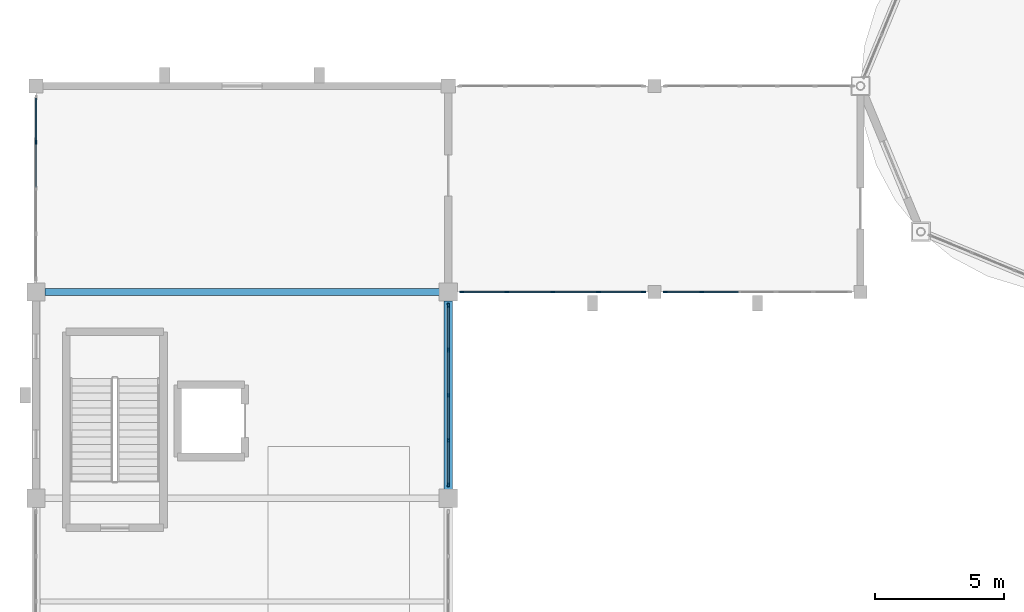
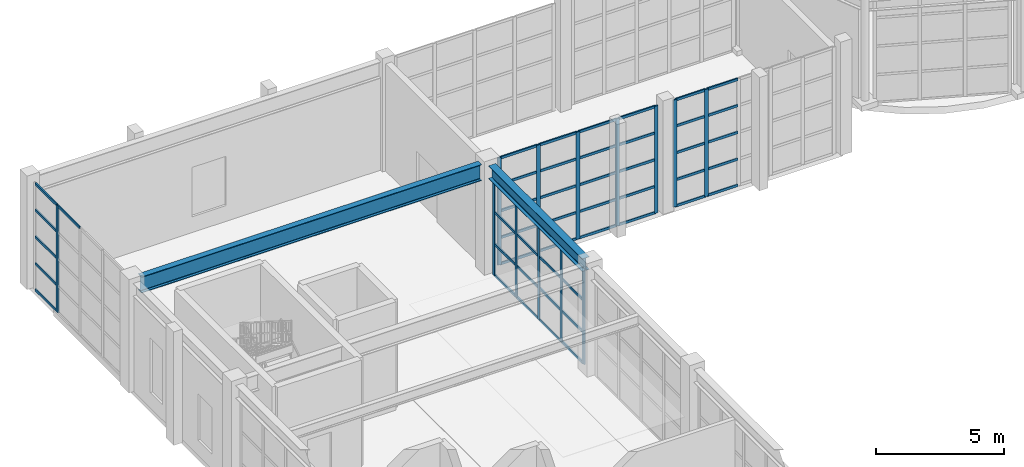
# One storey, part 16 of 82: 65 members, 2 beams, 4 elements without a shape of their own.
"""IFC4 building model written with IfcOpenShell, lengths in metres."""

from ifc_helpers import new_model, si_unit, direction, frame, origin, origin_2d, place, context, subcontext, project, spatial, rectangle, i_section, extrude, material, material_profile, profile_set, type_object, element, aggregate, save


model = new_model("IFC4")

# Units and contexts
model_context = context("Model", 3, precision=1e-05, world=origin(), true_north=direction((0.0, 1.0)))
body_context = subcontext(model_context, "Body", "Model", "MODEL_VIEW")
ifc_project = project(units=[si_unit("LENGTHUNIT", "METRE"), si_unit("AREAUNIT", "SQUARE_METRE"), si_unit("VOLUMEUNIT", "CUBIC_METRE"), si_unit("PLANEANGLEUNIT", "RADIAN"), si_unit("MASSUNIT", "GRAM", prefix="KILO")], contexts=[model_context])

# Site, building, storey
site_placement = place(None, origin())
site = spatial("IfcSite", under=ifc_project, at=site_placement, CompositionType="ELEMENT")
building_placement = place(site_placement, origin())
building = spatial("IfcBuilding", under=site, at=building_placement, Name="Serraluz Foothill Cableway Terminal", CompositionType="ELEMENT")
storey_placement = place(building_placement, frame((0.0, 0.0, 9.60009765625)))
storey = spatial("IfcBuildingStorey", under=building, at=storey_placement, Name="L02", CompositionType="ELEMENT", Elevation=9.60009765625)

# Beams
ifc_material_1 = material(Name="Steel ASTM A992 Grade 50", Category="steel")
ifc_material_profile_1 = material_profile(ifc_material_1, i_section(OverallWidth=0.324951171875, OverallDepth=0.615966796875, WebThickness=0.013916015625, FlangeThickness=0.021484375, FilletRadius=0.01806640625, at=origin_2d()), Name="W24X117")
ifc_profile_set_1 = profile_set([ifc_material_profile_1], Name="Steel ASTM A992 Grade 50")
beam_type_1 = type_object("IfcBeamType", Name="TYP-BM-W24X117", PredefinedType="BEAM", material=ifc_profile_set_1)
beam_1_placement = place(storey_placement, frame((16.0, 48.345947265625, 4.841796875), z_axis=(0.0, 1.0, 0.0), x_axis=(-1.0, 0.0, 0.0)))
element("IfcBeam", 1, at=beam_1_placement, inside=storey, type_object=beam_type_1, Name="Transverse Girder BM-Y-L02-0329", PredefinedType="BEAM", context=body_context, shape_type="SweptSolid", body=[
    extrude(i_section(OverallWidth=0.324951171875, OverallDepth=0.615966796875, WebThickness=0.013916015625, FlangeThickness=0.021484375, FilletRadius=0.01806640625, at=origin_2d()), origin(), (0.0, 0.0, 1.0), 7.30810546875),
])
ifc_material_profile_2 = material_profile(ifc_material_1, i_section(OverallWidth=0.26806640625, OverallDepth=0.77001953125, WebThickness=0.015625, FlangeThickness=0.025390625, FilletRadius=0.02197265625, at=origin_2d()), Name="W30X132")
ifc_profile_set_2 = profile_set([ifc_material_profile_2], Name="Steel ASTM A992 Grade 50")
beam_type_2 = type_object("IfcBeamType", Name="TYP-BM-W30X132", PredefinedType="BEAM", material=ifc_profile_set_2)
beam_2_placement = place(storey_placement, frame((0.345947265625, 56.0, 4.764892578125), z_axis=(1.0, 0.0, 0.0), x_axis=(0.0, 1.0, 0.0)))
element("IfcBeam", 2, at=beam_2_placement, inside=storey, type_object=beam_type_2, Name="Primary Girder BM-X-L02-0307", PredefinedType="BEAM", context=body_context, shape_type="SweptSolid", body=[
    extrude(i_section(OverallWidth=0.26806640625, OverallDepth=0.77001953125, WebThickness=0.015625, FlangeThickness=0.025390625, FilletRadius=0.02197265625, at=origin_2d()), origin(), (0.0, 0.0, 1.0), 15.30810546875),
])

# Curtain wall, members
ifc_material_2 = material(Name="Architectural bronze alloy C28000", Category="aluminium")
curtain_wall_type_1 = type_object("IfcCurtainWallType", Name="TYP-CW-480X420", PredefinedType="NOTDEFINED", material=ifc_material_2)
curtain_wall_1_placement = place(storey_placement, origin())
curtain_wall_1 = element("IfcCurtainWall", 3, at=curtain_wall_1_placement, inside=storey, type_object=curtain_wall_type_1, Name="Ribbed Glazed Curtain Wall CW-V5E-L02-48", PredefinedType="NOTDEFINED")
ifc_material_profile_3 = material_profile(ifc_material_2, rectangle(XDim=0.06005859375, YDim=0.159912109375, at=origin_2d()), Name="ALU MULLION 60x160")
ifc_profile_set_3 = profile_set([ifc_material_profile_3], Name="Architectural bronze alloy C28000")
member_type_1 = type_object("IfcMemberType", Name="TYP-CW-MUL-60X160", PredefinedType="MULLION", material=ifc_profile_set_3)
member_1_placement = place(storey_placement, frame((16.0, 55.47998046875, 0.0), z_axis=(0.0, 0.0, 1.0), x_axis=(1.0, 0.0, 0.0)))
member_1 = element("IfcMember", 4, at=member_1_placement, type_object=member_type_1, Name="CW-15 mullion 1", PredefinedType="MULLION", context=body_context, shape_type="SweptSolid", body=[
    extrude(rectangle(XDim=0.06005859375, YDim=0.159912109375, at=origin_2d()), origin(), (0.0, 0.0, 1.0), 4.533935546875),
])
member_2_placement = place(storey_placement, frame((16.0, 53.7548828125, 0.0), z_axis=(0.0, 0.0, 1.0), x_axis=(1.0, 0.0, 0.0)))
member_2 = element("IfcMember", 5, at=member_2_placement, type_object=member_type_1, Name="CW-15 mullion 2", PredefinedType="MULLION", context=body_context, shape_type="SweptSolid", body=[
    extrude(rectangle(XDim=0.06005859375, YDim=0.159912109375, at=origin_2d()), origin(), (0.0, 0.0, 1.0), 4.533935546875),
])
member_3_placement = place(storey_placement, frame((16.0, 52.0, 0.0), z_axis=(0.0, 0.0, 1.0), x_axis=(1.0, 0.0, 0.0)))
member_3 = element("IfcMember", 6, at=member_3_placement, type_object=member_type_1, Name="CW-15 mullion 3", PredefinedType="MULLION", context=body_context, shape_type="SweptSolid", body=[
    extrude(rectangle(XDim=0.06005859375, YDim=0.159912109375, at=origin_2d()), origin(), (0.0, 0.0, 1.0), 4.533935546875),
])
member_4_placement = place(storey_placement, frame((16.0, 50.2451171875, 0.0), z_axis=(0.0, 0.0, 1.0), x_axis=(1.0, 0.0, 0.0)))
member_4 = element("IfcMember", 7, at=member_4_placement, type_object=member_type_1, Name="CW-15 mullion 4", PredefinedType="MULLION", context=body_context, shape_type="SweptSolid", body=[
    extrude(rectangle(XDim=0.06005859375, YDim=0.159912109375, at=origin_2d()), origin(), (0.0, 0.0, 1.0), 4.533935546875),
])
member_5_placement = place(storey_placement, frame((16.0, 48.52001953125, 0.0), z_axis=(0.0, 0.0, 1.0), x_axis=(1.0, 0.0, 0.0)))
member_5 = element("IfcMember", 8, at=member_5_placement, type_object=member_type_1, Name="CW-15 mullion 5", PredefinedType="MULLION", context=body_context, shape_type="SweptSolid", body=[
    extrude(rectangle(XDim=0.06005859375, YDim=0.159912109375, at=origin_2d()), origin(), (0.0, 0.0, 1.0), 4.533935546875),
])

# Curtain wall, member
curtain_wall_type_2 = type_object("IfcCurtainWallType", Name="TYP-CW-540X420", PredefinedType="NOTDEFINED", material=ifc_material_2)
curtain_wall_2_placement = place(storey_placement, origin())
curtain_wall_2 = element("IfcCurtainWall", 9, at=curtain_wall_2_placement, inside=storey, type_object=curtain_wall_type_2, Name="Ribbed Glazed Curtain Wall CW-V5W-L02-56", PredefinedType="NOTDEFINED")
member_6_placement = place(storey_placement, frame((0.0, 61.811279296875, 0.0), z_axis=(0.0, 0.0, 1.0), x_axis=(-1.0, 0.0, 0.0)))
member_6 = element("IfcMember", 10, at=member_6_placement, type_object=member_type_1, Name="CW-10 mullion 4", PredefinedType="MULLION", context=body_context, shape_type="SweptSolid", body=[
    extrude(rectangle(XDim=0.06005859375, YDim=0.159912109375, at=origin_2d()), origin(), (0.0, 0.0, 1.0), 5.099853515625),
])

# Curtain wall, members
curtain_wall_type_3 = type_object("IfcCurtainWallType", Name="TYP-CW-710X420", PredefinedType="NOTDEFINED", material=ifc_material_2)
curtain_wall_3_placement = place(storey_placement, origin())
curtain_wall_3 = element("IfcCurtainWall", 11, at=curtain_wall_3_placement, inside=storey, type_object=curtain_wall_type_3, Name="Ribbed Glazed Curtain Wall CW-WLS-L02-16", PredefinedType="NOTDEFINED")
member_7_placement = place(storey_placement, frame((23.580078125, 56.0, 0.0), z_axis=(0.0, 0.0, 1.0), x_axis=(0.0, -1.0, 0.0)))
member_7 = element("IfcMember", 12, at=member_7_placement, type_object=member_type_1, Name="CW-01 mullion 1", PredefinedType="MULLION", context=body_context, shape_type="SweptSolid", body=[
    extrude(rectangle(XDim=0.06005859375, YDim=0.159912109375, at=origin_2d()), origin(), (0.0, 0.0, 1.0), 5.099853515625),
])
member_8_placement = place(storey_placement, frame((21.830078125, 56.0, 0.0), z_axis=(0.0, 0.0, 1.0), x_axis=(0.0, -1.0, 0.0)))
member_8 = element("IfcMember", 13, at=member_8_placement, type_object=member_type_1, Name="CW-01 mullion 2", PredefinedType="MULLION", context=body_context, shape_type="SweptSolid", body=[
    extrude(rectangle(XDim=0.06005859375, YDim=0.159912109375, at=origin_2d()), origin(), (0.0, 0.0, 1.0), 5.099853515625),
])
member_9_placement = place(storey_placement, frame((20.050048828125, 56.0, 0.0), z_axis=(0.0, 0.0, 1.0), x_axis=(0.0, -1.0, 0.0)))
member_9 = element("IfcMember", 14, at=member_9_placement, type_object=member_type_1, Name="CW-01 mullion 3", PredefinedType="MULLION", context=body_context, shape_type="SweptSolid", body=[
    extrude(rectangle(XDim=0.06005859375, YDim=0.159912109375, at=origin_2d()), origin(), (0.0, 0.0, 1.0), 5.099853515625),
])
member_10_placement = place(storey_placement, frame((18.27001953125, 56.0, 0.0), z_axis=(0.0, 0.0, 1.0), x_axis=(0.0, -1.0, 0.0)))
member_10 = element("IfcMember", 15, at=member_10_placement, type_object=member_type_1, Name="CW-01 mullion 4", PredefinedType="MULLION", context=body_context, shape_type="SweptSolid", body=[
    extrude(rectangle(XDim=0.06005859375, YDim=0.159912109375, at=origin_2d()), origin(), (0.0, 0.0, 1.0), 5.099853515625),
])
member_11_placement = place(storey_placement, frame((16.52001953125, 56.0, 0.0), z_axis=(0.0, 0.0, 1.0), x_axis=(0.0, -1.0, 0.0)))
member_11 = element("IfcMember", 16, at=member_11_placement, type_object=member_type_1, Name="CW-01 mullion 5", PredefinedType="MULLION", context=body_context, shape_type="SweptSolid", body=[
    extrude(rectangle(XDim=0.06005859375, YDim=0.159912109375, at=origin_2d()), origin(), (0.0, 0.0, 1.0), 5.099853515625),
])

curtain_wall_4_placement = place(storey_placement, origin())
curtain_wall_4 = element("IfcCurtainWall", 17, at=curtain_wall_4_placement, inside=storey, type_object=curtain_wall_type_3, Name="Ribbed Glazed Curtain Wall CW-WLS-L02-24", PredefinedType="NOTDEFINED")
member_12_placement = place(storey_placement, frame((25.833984375, 56.0, 0.0), z_axis=(0.0, 0.0, 1.0), x_axis=(0.0, -1.0, 0.0)))
member_12 = element("IfcMember", 18, at=member_12_placement, type_object=member_type_1, Name="CW-01 mullion 5", PredefinedType="MULLION", context=body_context, shape_type="SweptSolid", body=[
    extrude(rectangle(XDim=0.06005859375, YDim=0.159912109375, at=origin_2d()), origin(), (0.0, 0.0, 1.0), 5.099853515625),
])
member_13_placement = place(storey_placement, frame((24.419921875, 56.0, 0.0), z_axis=(0.0, 0.0, 1.0), x_axis=(0.0, -1.0, 0.0)))
member_13 = element("IfcMember", 19, at=member_13_placement, type_object=member_type_1, Name="CW-01 mullion 6", PredefinedType="MULLION", context=body_context, shape_type="SweptSolid", body=[
    extrude(rectangle(XDim=0.06005859375, YDim=0.159912109375, at=origin_2d()), origin(), (0.0, 0.0, 1.0), 5.099853515625),
])

# Member
ifc_material_profile_4 = material_profile(ifc_material_2, rectangle(XDim=0.06005859375, YDim=0.1201171875, at=origin_2d()), Name="ALU TRANSOM 60x120")
ifc_profile_set_4 = profile_set([ifc_material_profile_4], Name="Architectural bronze alloy C28000")
member_type_2 = type_object("IfcMemberType", Name="TYP-CW-TRN-60X120", PredefinedType="USERDEFINED", material=ifc_profile_set_4)
member_14_placement = place(storey_placement, frame((16.0, 55.449951171875, 0.02978515625), z_axis=(0.0, -1.0, 0.0), x_axis=(1.0, 0.0, 0.0)))
member_14 = element("IfcMember", 20, at=member_14_placement, type_object=member_type_2, Name="CW-15 transom 1.1", ObjectType="TRANSOM", PredefinedType="USERDEFINED", context=body_context, shape_type="SweptSolid", body=[
    extrude(rectangle(XDim=0.06005859375, YDim=0.1201171875, at=origin_2d()), origin(), (0.0, 0.0, 1.0), 1.6650390625),
])

member_15_placement = place(storey_placement, frame((16.0, 55.449951171875, 1.51123046875), z_axis=(0.0, -1.0, 0.0), x_axis=(1.0, 0.0, 0.0)))
member_15 = element("IfcMember", 21, at=member_15_placement, type_object=member_type_2, Name="CW-15 transom 1.2", ObjectType="TRANSOM", PredefinedType="USERDEFINED", context=body_context, shape_type="SweptSolid", body=[
    extrude(rectangle(XDim=0.06005859375, YDim=0.1201171875, at=origin_2d()), origin(), (0.0, 0.0, 1.0), 1.6650390625),
])

member_16_placement = place(storey_placement, frame((16.0, 55.449951171875, 3.022705078125), z_axis=(0.0, -1.0, 0.0), x_axis=(1.0, 0.0, 0.0)))
member_16 = element("IfcMember", 22, at=member_16_placement, type_object=member_type_2, Name="CW-15 transom 1.3", ObjectType="TRANSOM", PredefinedType="USERDEFINED", context=body_context, shape_type="SweptSolid", body=[
    extrude(rectangle(XDim=0.06005859375, YDim=0.1201171875, at=origin_2d()), origin(), (0.0, 0.0, 1.0), 1.6650390625),
])

member_17_placement = place(storey_placement, frame((16.0, 55.449951171875, 4.50390625), z_axis=(0.0, -1.0, 0.0), x_axis=(1.0, 0.0, 0.0)))
member_17 = element("IfcMember", 23, at=member_17_placement, type_object=member_type_2, Name="CW-15 transom 1.4", ObjectType="TRANSOM", PredefinedType="USERDEFINED", context=body_context, shape_type="SweptSolid", body=[
    extrude(rectangle(XDim=0.06005859375, YDim=0.1201171875, at=origin_2d()), origin(), (0.0, 0.0, 1.0), 1.6650390625),
])

member_18_placement = place(storey_placement, frame((16.0, 53.72509765625, 0.02978515625), z_axis=(0.0, -1.0, 0.0), x_axis=(1.0, 0.0, 0.0)))
member_18 = element("IfcMember", 24, at=member_18_placement, type_object=member_type_2, Name="CW-15 transom 2.1", ObjectType="TRANSOM", PredefinedType="USERDEFINED", context=body_context, shape_type="SweptSolid", body=[
    extrude(rectangle(XDim=0.06005859375, YDim=0.1201171875, at=origin_2d()), origin(), (0.0, 0.0, 1.0), 1.695068359375),
])

member_19_placement = place(storey_placement, frame((16.0, 53.72509765625, 1.51123046875), z_axis=(0.0, -1.0, 0.0), x_axis=(1.0, 0.0, 0.0)))
member_19 = element("IfcMember", 25, at=member_19_placement, type_object=member_type_2, Name="CW-15 transom 2.2", ObjectType="TRANSOM", PredefinedType="USERDEFINED", context=body_context, shape_type="SweptSolid", body=[
    extrude(rectangle(XDim=0.06005859375, YDim=0.1201171875, at=origin_2d()), origin(), (0.0, 0.0, 1.0), 1.695068359375),
])

member_20_placement = place(storey_placement, frame((16.0, 53.72509765625, 3.022705078125), z_axis=(0.0, -1.0, 0.0), x_axis=(1.0, 0.0, 0.0)))
member_20 = element("IfcMember", 26, at=member_20_placement, type_object=member_type_2, Name="CW-15 transom 2.3", ObjectType="TRANSOM", PredefinedType="USERDEFINED", context=body_context, shape_type="SweptSolid", body=[
    extrude(rectangle(XDim=0.06005859375, YDim=0.1201171875, at=origin_2d()), origin(), (0.0, 0.0, 1.0), 1.695068359375),
])

member_21_placement = place(storey_placement, frame((16.0, 53.72509765625, 4.50390625), z_axis=(0.0, -1.0, 0.0), x_axis=(1.0, 0.0, 0.0)))
member_21 = element("IfcMember", 27, at=member_21_placement, type_object=member_type_2, Name="CW-15 transom 2.4", ObjectType="TRANSOM", PredefinedType="USERDEFINED", context=body_context, shape_type="SweptSolid", body=[
    extrude(rectangle(XDim=0.06005859375, YDim=0.1201171875, at=origin_2d()), origin(), (0.0, 0.0, 1.0), 1.695068359375),
])

member_22_placement = place(storey_placement, frame((16.0, 51.969970703125, 0.02978515625), z_axis=(0.0, -1.0, 0.0), x_axis=(1.0, 0.0, 0.0)))
member_22 = element("IfcMember", 28, at=member_22_placement, type_object=member_type_2, Name="CW-15 transom 3.1", ObjectType="TRANSOM", PredefinedType="USERDEFINED", context=body_context, shape_type="SweptSolid", body=[
    extrude(rectangle(XDim=0.06005859375, YDim=0.1201171875, at=origin_2d()), origin(), (0.0, 0.0, 1.0), 1.695068359375),
])

member_23_placement = place(storey_placement, frame((16.0, 51.969970703125, 1.51123046875), z_axis=(0.0, -1.0, 0.0), x_axis=(1.0, 0.0, 0.0)))
member_23 = element("IfcMember", 29, at=member_23_placement, type_object=member_type_2, Name="CW-15 transom 3.2", ObjectType="TRANSOM", PredefinedType="USERDEFINED", context=body_context, shape_type="SweptSolid", body=[
    extrude(rectangle(XDim=0.06005859375, YDim=0.1201171875, at=origin_2d()), origin(), (0.0, 0.0, 1.0), 1.695068359375),
])

member_24_placement = place(storey_placement, frame((16.0, 51.969970703125, 3.022705078125), z_axis=(0.0, -1.0, 0.0), x_axis=(1.0, 0.0, 0.0)))
member_24 = element("IfcMember", 30, at=member_24_placement, type_object=member_type_2, Name="CW-15 transom 3.3", ObjectType="TRANSOM", PredefinedType="USERDEFINED", context=body_context, shape_type="SweptSolid", body=[
    extrude(rectangle(XDim=0.06005859375, YDim=0.1201171875, at=origin_2d()), origin(), (0.0, 0.0, 1.0), 1.695068359375),
])

member_25_placement = place(storey_placement, frame((16.0, 51.969970703125, 4.50390625), z_axis=(0.0, -1.0, 0.0), x_axis=(1.0, 0.0, 0.0)))
member_25 = element("IfcMember", 31, at=member_25_placement, type_object=member_type_2, Name="CW-15 transom 3.4", ObjectType="TRANSOM", PredefinedType="USERDEFINED", context=body_context, shape_type="SweptSolid", body=[
    extrude(rectangle(XDim=0.06005859375, YDim=0.1201171875, at=origin_2d()), origin(), (0.0, 0.0, 1.0), 1.695068359375),
])

member_26_placement = place(storey_placement, frame((16.0, 50.215087890625, 0.02978515625), z_axis=(0.0, -1.0, 0.0), x_axis=(1.0, 0.0, 0.0)))
member_26 = element("IfcMember", 32, at=member_26_placement, type_object=member_type_2, Name="CW-15 transom 4.1", ObjectType="TRANSOM", PredefinedType="USERDEFINED", context=body_context, shape_type="SweptSolid", body=[
    extrude(rectangle(XDim=0.06005859375, YDim=0.1201171875, at=origin_2d()), origin(), (0.0, 0.0, 1.0), 1.6650390625),
])

member_27_placement = place(storey_placement, frame((16.0, 50.215087890625, 1.51123046875), z_axis=(0.0, -1.0, 0.0), x_axis=(1.0, 0.0, 0.0)))
member_27 = element("IfcMember", 33, at=member_27_placement, type_object=member_type_2, Name="CW-15 transom 4.2", ObjectType="TRANSOM", PredefinedType="USERDEFINED", context=body_context, shape_type="SweptSolid", body=[
    extrude(rectangle(XDim=0.06005859375, YDim=0.1201171875, at=origin_2d()), origin(), (0.0, 0.0, 1.0), 1.6650390625),
])

member_28_placement = place(storey_placement, frame((16.0, 50.215087890625, 3.022705078125), z_axis=(0.0, -1.0, 0.0), x_axis=(1.0, 0.0, 0.0)))
member_28 = element("IfcMember", 34, at=member_28_placement, type_object=member_type_2, Name="CW-15 transom 4.3", ObjectType="TRANSOM", PredefinedType="USERDEFINED", context=body_context, shape_type="SweptSolid", body=[
    extrude(rectangle(XDim=0.06005859375, YDim=0.1201171875, at=origin_2d()), origin(), (0.0, 0.0, 1.0), 1.6650390625),
])

member_29_placement = place(storey_placement, frame((16.0, 50.215087890625, 4.50390625), z_axis=(0.0, -1.0, 0.0), x_axis=(1.0, 0.0, 0.0)))
member_29 = element("IfcMember", 35, at=member_29_placement, type_object=member_type_2, Name="CW-15 transom 4.4", ObjectType="TRANSOM", PredefinedType="USERDEFINED", context=body_context, shape_type="SweptSolid", body=[
    extrude(rectangle(XDim=0.06005859375, YDim=0.1201171875, at=origin_2d()), origin(), (0.0, 0.0, 1.0), 1.6650390625),
])

aggregate(curtain_wall_1, [member_1, member_2, member_3, member_4, member_5, member_14, member_15, member_16, member_17, member_18, member_19, member_20, member_21, member_22, member_23, member_24, member_25, member_26, member_27, member_28, member_29])

member_30_placement = place(storey_placement, frame((0.0, 60.0673828125, 5.06982421875), z_axis=(0.0, 1.0, 0.0), x_axis=(-1.0, 0.0, 0.0)))
member_30 = element("IfcMember", 36, at=member_30_placement, type_object=member_type_2, Name="CW-10 transom 3.5", ObjectType="TRANSOM", PredefinedType="USERDEFINED", context=body_context, shape_type="SweptSolid", body=[
    extrude(rectangle(XDim=0.06005859375, YDim=0.1201171875, at=origin_2d()), origin(), (0.0, 0.0, 1.0), 1.7138671875),
])

member_31_placement = place(storey_placement, frame((0.0, 61.84130859375, 0.02978515625), z_axis=(0.0, 1.0, 0.0), x_axis=(-1.0, 0.0, 0.0)))
member_31 = element("IfcMember", 37, at=member_31_placement, type_object=member_type_2, Name="CW-10 transom 4.1", ObjectType="TRANSOM", PredefinedType="USERDEFINED", context=body_context, shape_type="SweptSolid", body=[
    extrude(rectangle(XDim=0.06005859375, YDim=0.1201171875, at=origin_2d()), origin(), (0.0, 0.0, 1.0), 1.68359375),
])

member_32_placement = place(storey_placement, frame((0.0, 61.84130859375, 1.27490234375), z_axis=(0.0, 1.0, 0.0), x_axis=(-1.0, 0.0, 0.0)))
member_32 = element("IfcMember", 38, at=member_32_placement, type_object=member_type_2, Name="CW-10 transom 4.2", ObjectType="TRANSOM", PredefinedType="USERDEFINED", context=body_context, shape_type="SweptSolid", body=[
    extrude(rectangle(XDim=0.06005859375, YDim=0.1201171875, at=origin_2d()), origin(), (0.0, 0.0, 1.0), 1.68359375),
])

member_33_placement = place(storey_placement, frame((0.0, 61.84130859375, 2.5498046875), z_axis=(0.0, 1.0, 0.0), x_axis=(-1.0, 0.0, 0.0)))
member_33 = element("IfcMember", 39, at=member_33_placement, type_object=member_type_2, Name="CW-10 transom 4.3", ObjectType="TRANSOM", PredefinedType="USERDEFINED", context=body_context, shape_type="SweptSolid", body=[
    extrude(rectangle(XDim=0.06005859375, YDim=0.1201171875, at=origin_2d()), origin(), (0.0, 0.0, 1.0), 1.68359375),
])

member_34_placement = place(storey_placement, frame((0.0, 61.84130859375, 3.824951171875), z_axis=(0.0, 1.0, 0.0), x_axis=(-1.0, 0.0, 0.0)))
member_34 = element("IfcMember", 40, at=member_34_placement, type_object=member_type_2, Name="CW-10 transom 4.4", ObjectType="TRANSOM", PredefinedType="USERDEFINED", context=body_context, shape_type="SweptSolid", body=[
    extrude(rectangle(XDim=0.06005859375, YDim=0.1201171875, at=origin_2d()), origin(), (0.0, 0.0, 1.0), 1.68359375),
])

member_35_placement = place(storey_placement, frame((0.0, 61.84130859375, 5.06982421875), z_axis=(0.0, 1.0, 0.0), x_axis=(-1.0, 0.0, 0.0)))
member_35 = element("IfcMember", 41, at=member_35_placement, type_object=member_type_2, Name="CW-10 transom 4.5", ObjectType="TRANSOM", PredefinedType="USERDEFINED", context=body_context, shape_type="SweptSolid", body=[
    extrude(rectangle(XDim=0.06005859375, YDim=0.1201171875, at=origin_2d()), origin(), (0.0, 0.0, 1.0), 1.68359375),
])

aggregate(curtain_wall_2, [member_6, member_30, member_31, member_32, member_33, member_34, member_35])

member_36_placement = place(storey_placement, frame((23.550048828125, 56.0, 0.02978515625), z_axis=(-1.0, 0.0, 0.0), x_axis=(0.0, -1.0, 0.0)))
member_36 = element("IfcMember", 42, at=member_36_placement, type_object=member_type_2, Name="CW-01 transom 1.1", ObjectType="TRANSOM", PredefinedType="USERDEFINED", context=body_context, shape_type="SweptSolid", body=[
    extrude(rectangle(XDim=0.06005859375, YDim=0.1201171875, at=origin_2d()), origin(), (0.0, 0.0, 1.0), 1.68994140625),
])

member_37_placement = place(storey_placement, frame((23.550048828125, 56.0, 1.27490234375), z_axis=(-1.0, 0.0, 0.0), x_axis=(0.0, -1.0, 0.0)))
member_37 = element("IfcMember", 43, at=member_37_placement, type_object=member_type_2, Name="CW-01 transom 1.2", ObjectType="TRANSOM", PredefinedType="USERDEFINED", context=body_context, shape_type="SweptSolid", body=[
    extrude(rectangle(XDim=0.06005859375, YDim=0.1201171875, at=origin_2d()), origin(), (0.0, 0.0, 1.0), 1.68994140625),
])

member_38_placement = place(storey_placement, frame((23.550048828125, 56.0, 2.5498046875), z_axis=(-1.0, 0.0, 0.0), x_axis=(0.0, -1.0, 0.0)))
member_38 = element("IfcMember", 44, at=member_38_placement, type_object=member_type_2, Name="CW-01 transom 1.3", ObjectType="TRANSOM", PredefinedType="USERDEFINED", context=body_context, shape_type="SweptSolid", body=[
    extrude(rectangle(XDim=0.06005859375, YDim=0.1201171875, at=origin_2d()), origin(), (0.0, 0.0, 1.0), 1.68994140625),
])

member_39_placement = place(storey_placement, frame((23.550048828125, 56.0, 3.824951171875), z_axis=(-1.0, 0.0, 0.0), x_axis=(0.0, -1.0, 0.0)))
member_39 = element("IfcMember", 45, at=member_39_placement, type_object=member_type_2, Name="CW-01 transom 1.4", ObjectType="TRANSOM", PredefinedType="USERDEFINED", context=body_context, shape_type="SweptSolid", body=[
    extrude(rectangle(XDim=0.06005859375, YDim=0.1201171875, at=origin_2d()), origin(), (0.0, 0.0, 1.0), 1.68994140625),
])

member_40_placement = place(storey_placement, frame((23.550048828125, 56.0, 5.06982421875), z_axis=(-1.0, 0.0, 0.0), x_axis=(0.0, -1.0, 0.0)))
member_40 = element("IfcMember", 46, at=member_40_placement, type_object=member_type_2, Name="CW-01 transom 1.5", ObjectType="TRANSOM", PredefinedType="USERDEFINED", context=body_context, shape_type="SweptSolid", body=[
    extrude(rectangle(XDim=0.06005859375, YDim=0.1201171875, at=origin_2d()), origin(), (0.0, 0.0, 1.0), 1.68994140625),
])

member_41_placement = place(storey_placement, frame((21.800048828125, 56.0, 0.02978515625), z_axis=(-1.0, 0.0, 0.0), x_axis=(0.0, -1.0, 0.0)))
member_41 = element("IfcMember", 47, at=member_41_placement, type_object=member_type_2, Name="CW-01 transom 2.1", ObjectType="TRANSOM", PredefinedType="USERDEFINED", context=body_context, shape_type="SweptSolid", body=[
    extrude(rectangle(XDim=0.06005859375, YDim=0.1201171875, at=origin_2d()), origin(), (0.0, 0.0, 1.0), 1.719970703125),
])

member_42_placement = place(storey_placement, frame((21.800048828125, 56.0, 1.27490234375), z_axis=(-1.0, 0.0, 0.0), x_axis=(0.0, -1.0, 0.0)))
member_42 = element("IfcMember", 48, at=member_42_placement, type_object=member_type_2, Name="CW-01 transom 2.2", ObjectType="TRANSOM", PredefinedType="USERDEFINED", context=body_context, shape_type="SweptSolid", body=[
    extrude(rectangle(XDim=0.06005859375, YDim=0.1201171875, at=origin_2d()), origin(), (0.0, 0.0, 1.0), 1.719970703125),
])

member_43_placement = place(storey_placement, frame((21.800048828125, 56.0, 2.5498046875), z_axis=(-1.0, 0.0, 0.0), x_axis=(0.0, -1.0, 0.0)))
member_43 = element("IfcMember", 49, at=member_43_placement, type_object=member_type_2, Name="CW-01 transom 2.3", ObjectType="TRANSOM", PredefinedType="USERDEFINED", context=body_context, shape_type="SweptSolid", body=[
    extrude(rectangle(XDim=0.06005859375, YDim=0.1201171875, at=origin_2d()), origin(), (0.0, 0.0, 1.0), 1.719970703125),
])

member_44_placement = place(storey_placement, frame((21.800048828125, 56.0, 3.824951171875), z_axis=(-1.0, 0.0, 0.0), x_axis=(0.0, -1.0, 0.0)))
member_44 = element("IfcMember", 50, at=member_44_placement, type_object=member_type_2, Name="CW-01 transom 2.4", ObjectType="TRANSOM", PredefinedType="USERDEFINED", context=body_context, shape_type="SweptSolid", body=[
    extrude(rectangle(XDim=0.06005859375, YDim=0.1201171875, at=origin_2d()), origin(), (0.0, 0.0, 1.0), 1.719970703125),
])

member_45_placement = place(storey_placement, frame((21.800048828125, 56.0, 5.06982421875), z_axis=(-1.0, 0.0, 0.0), x_axis=(0.0, -1.0, 0.0)))
member_45 = element("IfcMember", 51, at=member_45_placement, type_object=member_type_2, Name="CW-01 transom 2.5", ObjectType="TRANSOM", PredefinedType="USERDEFINED", context=body_context, shape_type="SweptSolid", body=[
    extrude(rectangle(XDim=0.06005859375, YDim=0.1201171875, at=origin_2d()), origin(), (0.0, 0.0, 1.0), 1.719970703125),
])

member_46_placement = place(storey_placement, frame((20.02001953125, 56.0, 0.02978515625), z_axis=(-1.0, 0.0, 0.0), x_axis=(0.0, -1.0, 0.0)))
member_46 = element("IfcMember", 52, at=member_46_placement, type_object=member_type_2, Name="CW-01 transom 3.1", ObjectType="TRANSOM", PredefinedType="USERDEFINED", context=body_context, shape_type="SweptSolid", body=[
    extrude(rectangle(XDim=0.06005859375, YDim=0.1201171875, at=origin_2d()), origin(), (0.0, 0.0, 1.0), 1.719970703125),
])

member_47_placement = place(storey_placement, frame((20.02001953125, 56.0, 1.27490234375), z_axis=(-1.0, 0.0, 0.0), x_axis=(0.0, -1.0, 0.0)))
member_47 = element("IfcMember", 53, at=member_47_placement, type_object=member_type_2, Name="CW-01 transom 3.2", ObjectType="TRANSOM", PredefinedType="USERDEFINED", context=body_context, shape_type="SweptSolid", body=[
    extrude(rectangle(XDim=0.06005859375, YDim=0.1201171875, at=origin_2d()), origin(), (0.0, 0.0, 1.0), 1.719970703125),
])

member_48_placement = place(storey_placement, frame((20.02001953125, 56.0, 2.5498046875), z_axis=(-1.0, 0.0, 0.0), x_axis=(0.0, -1.0, 0.0)))
member_48 = element("IfcMember", 54, at=member_48_placement, type_object=member_type_2, Name="CW-01 transom 3.3", ObjectType="TRANSOM", PredefinedType="USERDEFINED", context=body_context, shape_type="SweptSolid", body=[
    extrude(rectangle(XDim=0.06005859375, YDim=0.1201171875, at=origin_2d()), origin(), (0.0, 0.0, 1.0), 1.719970703125),
])

member_49_placement = place(storey_placement, frame((20.02001953125, 56.0, 3.824951171875), z_axis=(-1.0, 0.0, 0.0), x_axis=(0.0, -1.0, 0.0)))
member_49 = element("IfcMember", 55, at=member_49_placement, type_object=member_type_2, Name="CW-01 transom 3.4", ObjectType="TRANSOM", PredefinedType="USERDEFINED", context=body_context, shape_type="SweptSolid", body=[
    extrude(rectangle(XDim=0.06005859375, YDim=0.1201171875, at=origin_2d()), origin(), (0.0, 0.0, 1.0), 1.719970703125),
])

member_50_placement = place(storey_placement, frame((20.02001953125, 56.0, 5.06982421875), z_axis=(-1.0, 0.0, 0.0), x_axis=(0.0, -1.0, 0.0)))
member_50 = element("IfcMember", 56, at=member_50_placement, type_object=member_type_2, Name="CW-01 transom 3.5", ObjectType="TRANSOM", PredefinedType="USERDEFINED", context=body_context, shape_type="SweptSolid", body=[
    extrude(rectangle(XDim=0.06005859375, YDim=0.1201171875, at=origin_2d()), origin(), (0.0, 0.0, 1.0), 1.719970703125),
])

member_51_placement = place(storey_placement, frame((18.239990234375, 56.0, 0.02978515625), z_axis=(-1.0, 0.0, 0.0), x_axis=(0.0, -1.0, 0.0)))
member_51 = element("IfcMember", 57, at=member_51_placement, type_object=member_type_2, Name="CW-01 transom 4.1", ObjectType="TRANSOM", PredefinedType="USERDEFINED", context=body_context, shape_type="SweptSolid", body=[
    extrude(rectangle(XDim=0.06005859375, YDim=0.1201171875, at=origin_2d()), origin(), (0.0, 0.0, 1.0), 1.68994140625),
])

member_52_placement = place(storey_placement, frame((18.239990234375, 56.0, 1.27490234375), z_axis=(-1.0, 0.0, 0.0), x_axis=(0.0, -1.0, 0.0)))
member_52 = element("IfcMember", 58, at=member_52_placement, type_object=member_type_2, Name="CW-01 transom 4.2", ObjectType="TRANSOM", PredefinedType="USERDEFINED", context=body_context, shape_type="SweptSolid", body=[
    extrude(rectangle(XDim=0.06005859375, YDim=0.1201171875, at=origin_2d()), origin(), (0.0, 0.0, 1.0), 1.68994140625),
])

member_53_placement = place(storey_placement, frame((18.239990234375, 56.0, 2.5498046875), z_axis=(-1.0, 0.0, 0.0), x_axis=(0.0, -1.0, 0.0)))
member_53 = element("IfcMember", 59, at=member_53_placement, type_object=member_type_2, Name="CW-01 transom 4.3", ObjectType="TRANSOM", PredefinedType="USERDEFINED", context=body_context, shape_type="SweptSolid", body=[
    extrude(rectangle(XDim=0.06005859375, YDim=0.1201171875, at=origin_2d()), origin(), (0.0, 0.0, 1.0), 1.68994140625),
])

member_54_placement = place(storey_placement, frame((18.239990234375, 56.0, 3.824951171875), z_axis=(-1.0, 0.0, 0.0), x_axis=(0.0, -1.0, 0.0)))
member_54 = element("IfcMember", 60, at=member_54_placement, type_object=member_type_2, Name="CW-01 transom 4.4", ObjectType="TRANSOM", PredefinedType="USERDEFINED", context=body_context, shape_type="SweptSolid", body=[
    extrude(rectangle(XDim=0.06005859375, YDim=0.1201171875, at=origin_2d()), origin(), (0.0, 0.0, 1.0), 1.68994140625),
])

member_55_placement = place(storey_placement, frame((18.239990234375, 56.0, 5.06982421875), z_axis=(-1.0, 0.0, 0.0), x_axis=(0.0, -1.0, 0.0)))
member_55 = element("IfcMember", 61, at=member_55_placement, type_object=member_type_2, Name="CW-01 transom 4.5", ObjectType="TRANSOM", PredefinedType="USERDEFINED", context=body_context, shape_type="SweptSolid", body=[
    extrude(rectangle(XDim=0.06005859375, YDim=0.1201171875, at=origin_2d()), origin(), (0.0, 0.0, 1.0), 1.68994140625),
])

aggregate(curtain_wall_3, [member_7, member_8, member_9, member_10, member_11, member_36, member_37, member_38, member_39, member_40, member_41, member_42, member_43, member_44, member_45, member_46, member_47, member_48, member_49, member_50, member_51, member_52, member_53, member_54, member_55])

member_56_placement = place(storey_placement, frame((27.248046875, 56.0, 0.02978515625), z_axis=(-1.0, 0.0, 0.0), x_axis=(0.0, -1.0, 0.0)))
member_56 = element("IfcMember", 62, at=member_56_placement, type_object=member_type_2, Name="CW-01 transom 4.1", ObjectType="TRANSOM", PredefinedType="USERDEFINED", context=body_context, shape_type="SweptSolid", body=[
    extrude(rectangle(XDim=0.06005859375, YDim=0.1201171875, at=origin_2d()), origin(), (0.0, 0.0, 1.0), 1.384033203125),
])

member_57_placement = place(storey_placement, frame((27.248046875, 56.0, 1.27490234375), z_axis=(-1.0, 0.0, 0.0), x_axis=(0.0, -1.0, 0.0)))
member_57 = element("IfcMember", 63, at=member_57_placement, type_object=member_type_2, Name="CW-01 transom 4.2", ObjectType="TRANSOM", PredefinedType="USERDEFINED", context=body_context, shape_type="SweptSolid", body=[
    extrude(rectangle(XDim=0.06005859375, YDim=0.1201171875, at=origin_2d()), origin(), (0.0, 0.0, 1.0), 1.384033203125),
])

member_58_placement = place(storey_placement, frame((27.248046875, 56.0, 2.5498046875), z_axis=(-1.0, 0.0, 0.0), x_axis=(0.0, -1.0, 0.0)))
member_58 = element("IfcMember", 64, at=member_58_placement, type_object=member_type_2, Name="CW-01 transom 4.3", ObjectType="TRANSOM", PredefinedType="USERDEFINED", context=body_context, shape_type="SweptSolid", body=[
    extrude(rectangle(XDim=0.06005859375, YDim=0.1201171875, at=origin_2d()), origin(), (0.0, 0.0, 1.0), 1.384033203125),
])

member_59_placement = place(storey_placement, frame((27.248046875, 56.0, 3.824951171875), z_axis=(-1.0, 0.0, 0.0), x_axis=(0.0, -1.0, 0.0)))
member_59 = element("IfcMember", 65, at=member_59_placement, type_object=member_type_2, Name="CW-01 transom 4.4", ObjectType="TRANSOM", PredefinedType="USERDEFINED", context=body_context, shape_type="SweptSolid", body=[
    extrude(rectangle(XDim=0.06005859375, YDim=0.1201171875, at=origin_2d()), origin(), (0.0, 0.0, 1.0), 1.384033203125),
])

member_60_placement = place(storey_placement, frame((27.248046875, 56.0, 5.06982421875), z_axis=(-1.0, 0.0, 0.0), x_axis=(0.0, -1.0, 0.0)))
member_60 = element("IfcMember", 66, at=member_60_placement, type_object=member_type_2, Name="CW-01 transom 4.5", ObjectType="TRANSOM", PredefinedType="USERDEFINED", context=body_context, shape_type="SweptSolid", body=[
    extrude(rectangle(XDim=0.06005859375, YDim=0.1201171875, at=origin_2d()), origin(), (0.0, 0.0, 1.0), 1.384033203125),
])

member_61_placement = place(storey_placement, frame((25.803955078125, 56.0, 0.02978515625), z_axis=(-1.0, 0.0, 0.0), x_axis=(0.0, -1.0, 0.0)))
member_61 = element("IfcMember", 67, at=member_61_placement, type_object=member_type_2, Name="CW-01 transom 5.1", ObjectType="TRANSOM", PredefinedType="USERDEFINED", context=body_context, shape_type="SweptSolid", body=[
    extrude(rectangle(XDim=0.06005859375, YDim=0.1201171875, at=origin_2d()), origin(), (0.0, 0.0, 1.0), 1.35400390625),
])

member_62_placement = place(storey_placement, frame((25.803955078125, 56.0, 1.27490234375), z_axis=(-1.0, 0.0, 0.0), x_axis=(0.0, -1.0, 0.0)))
member_62 = element("IfcMember", 68, at=member_62_placement, type_object=member_type_2, Name="CW-01 transom 5.2", ObjectType="TRANSOM", PredefinedType="USERDEFINED", context=body_context, shape_type="SweptSolid", body=[
    extrude(rectangle(XDim=0.06005859375, YDim=0.1201171875, at=origin_2d()), origin(), (0.0, 0.0, 1.0), 1.35400390625),
])

member_63_placement = place(storey_placement, frame((25.803955078125, 56.0, 2.5498046875), z_axis=(-1.0, 0.0, 0.0), x_axis=(0.0, -1.0, 0.0)))
member_63 = element("IfcMember", 69, at=member_63_placement, type_object=member_type_2, Name="CW-01 transom 5.3", ObjectType="TRANSOM", PredefinedType="USERDEFINED", context=body_context, shape_type="SweptSolid", body=[
    extrude(rectangle(XDim=0.06005859375, YDim=0.1201171875, at=origin_2d()), origin(), (0.0, 0.0, 1.0), 1.35400390625),
])

member_64_placement = place(storey_placement, frame((25.803955078125, 56.0, 3.824951171875), z_axis=(-1.0, 0.0, 0.0), x_axis=(0.0, -1.0, 0.0)))
member_64 = element("IfcMember", 70, at=member_64_placement, type_object=member_type_2, Name="CW-01 transom 5.4", ObjectType="TRANSOM", PredefinedType="USERDEFINED", context=body_context, shape_type="SweptSolid", body=[
    extrude(rectangle(XDim=0.06005859375, YDim=0.1201171875, at=origin_2d()), origin(), (0.0, 0.0, 1.0), 1.35400390625),
])

member_65_placement = place(storey_placement, frame((25.803955078125, 56.0, 5.06982421875), z_axis=(-1.0, 0.0, 0.0), x_axis=(0.0, -1.0, 0.0)))
member_65 = element("IfcMember", 71, at=member_65_placement, type_object=member_type_2, Name="CW-01 transom 5.5", ObjectType="TRANSOM", PredefinedType="USERDEFINED", context=body_context, shape_type="SweptSolid", body=[
    extrude(rectangle(XDim=0.06005859375, YDim=0.1201171875, at=origin_2d()), origin(), (0.0, 0.0, 1.0), 1.35400390625),
])

aggregate(curtain_wall_4, [member_12, member_13, member_56, member_57, member_58, member_59, member_60, member_61, member_62, member_63, member_64, member_65])

save(model, "model.ifc")
